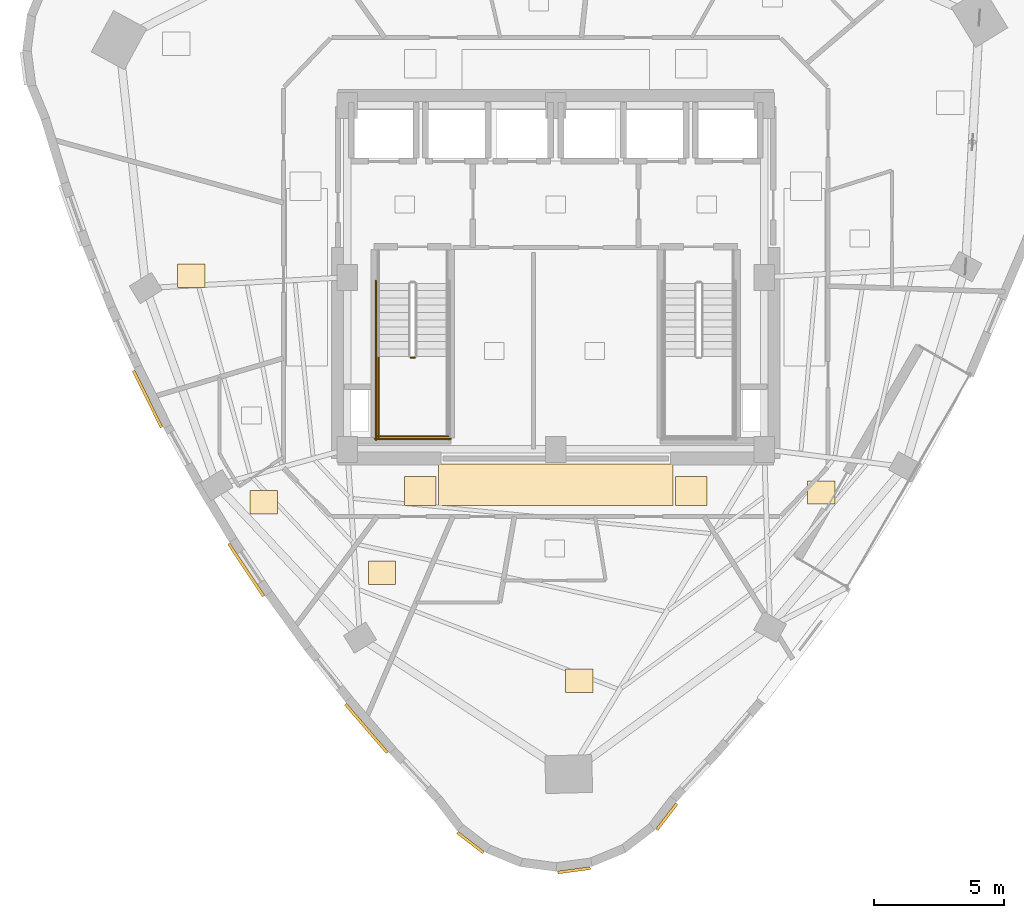
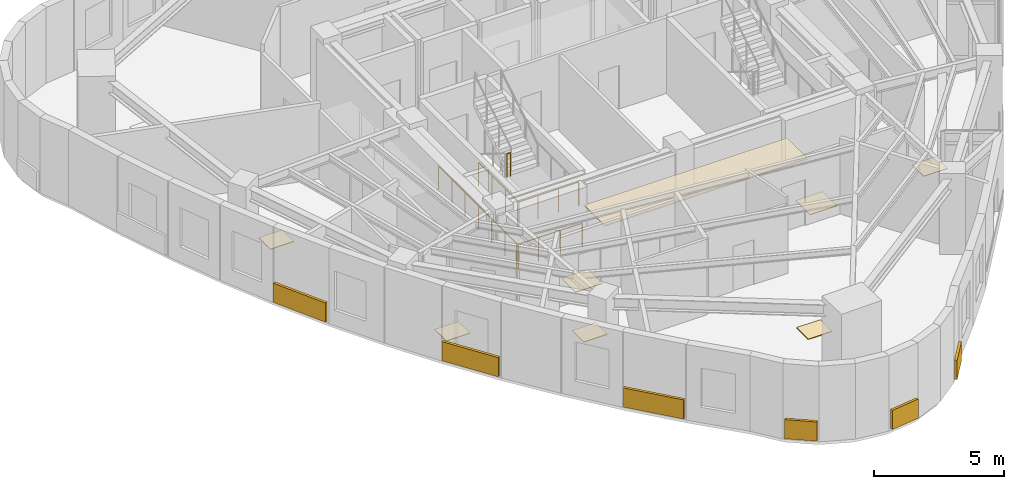
# One storey, part 10 of 12: 14 coverings, 5 railings.
"""IFC4 building model written with IfcOpenShell, lengths in metres."""

from ifc_helpers import new_model, si_unit, direction, frame, origin, origin_2d, place, context, subcontext, project, spatial, rectangle, circle, extrude, material, layer, layer_set, type_object, element, save


model = new_model("IFC4")

# Units and contexts
model_context = context("Model", 3, precision=1e-05, world=origin(), true_north=direction((0.0, 1.0)))
body_context = subcontext(model_context, "Body", "Model", "MODEL_VIEW")
ifc_project = project(units=[si_unit("LENGTHUNIT", "METRE"), si_unit("AREAUNIT", "SQUARE_METRE"), si_unit("VOLUMEUNIT", "CUBIC_METRE"), si_unit("PLANEANGLEUNIT", "RADIAN"), si_unit("MASSUNIT", "GRAM", prefix="KILO")], contexts=[model_context])

# Site, building, storey
site_placement = place(None, origin())
site = spatial("IfcSite", under=ifc_project, at=site_placement, CompositionType="ELEMENT")
building_placement = place(site_placement, origin())
building = spatial("IfcBuilding", under=site, at=building_placement, Name="Ndelora Gate Hotel", CompositionType="ELEMENT")
storey_placement = place(building_placement, frame((0.0, 0.0, 213.14990234375)))
storey = spatial("IfcBuildingStorey", under=building, at=storey_placement, Name="L53", CompositionType="ELEMENT", Elevation=213.14990234375)

# Coverings
ifc_material_1 = material(Name="Perforated Acoustic Gypsum Board", Category="gypsum")
ifc_layer_1 = layer(ifc_material_1, 0.054931640625)
ifc_layer_set_1 = layer_set([ifc_layer_1], Name="Perforated Acoustic Gypsum Board")
covering_type_1 = type_object("IfcCoveringType", Name="COV-CEIL-AC60", PredefinedType="CEILING", material=ifc_layer_set_1)
covering_1_placement = place(storey_placement, frame((0.0, -7.9599609375, 2.65283203125), z_axis=(0.0, 0.0, 1.0), x_axis=(1.0, 0.0, 0.0)))
element("IfcCovering", 1, at=covering_1_placement, inside=storey, type_object=covering_type_1, Name="L53 Guest Corridor Acoustic Ceiling S", PredefinedType="CEILING", context=body_context, shape_type="SweptSolid", body=[
    extrude(rectangle(XDim=9.0, YDim=1.580078125, at=origin_2d()), origin(), (0.0, 0.0, 1.0), 0.054931640625),
])
ifc_material_2 = material(Name="Terracotta Fired Clay Brick Slip Cladding", Category="masonry")
ifc_layer_2 = layer(ifc_material_2, 0.110107421875)
ifc_layer_set_2 = layer_set([ifc_layer_2], Name="Terracotta Fired Clay Brick Slip Cladding")
covering_type_2 = type_object("IfcCoveringType", Name="COV-CLAD-BRK", PredefinedType="CLADDING", material=ifc_layer_set_2)
for number, where, z_axis, x_axis, name in (
    (2, (-15.66357421875, -4.67041015625, 0.10009765625), (0.0, 0.0, 1.0), (-0.444635179185, 0.895711760239, 0.0), "L53 Rounded-Corner Brick Cladding Band 13"),
    (3, (-11.87646484375, -11.229736328125, 0.10009765625), (0.0, 0.0, 1.0), (-0.553391549243, 0.83292124071, 0.0), "L53 Rounded-Corner Brick Cladding Band 16"),
):
    element("IfcCovering", number, at=place(storey_placement, frame(where, z_axis=z_axis, x_axis=x_axis)), inside=storey, type_object=covering_type_2, Name=name, PredefinedType="CLADDING", context=body_context, shape_type="SweptSolid", body=[
        extrude(rectangle(XDim=2.4208984375, YDim=0.110107421875, at=origin_2d()), origin(), (0.0, 0.0, 1.0), 0.89990234375),
    ])
covering_2_placement = place(storey_placement, frame((-7.26416015625, -17.31201171875, 0.10009765625), z_axis=(0.0, 0.0, 1.0), x_axis=(-0.651966074496, 0.758248137292, 0.0)))
element("IfcCovering", 4, at=covering_2_placement, inside=storey, type_object=covering_type_2, Name="L53 Rounded-Corner Brick Cladding Band 19", PredefinedType="CLADDING", context=body_context, shape_type="SweptSolid", body=[
    extrude(rectangle(XDim=2.4599609375, YDim=0.110107421875, at=origin_2d()), origin(), (0.0, 0.0, 1.0), 0.89990234375),
])
for number, where, z_axis, x_axis, name in (
    (5, (-3.271484375, -21.691650390625, 0.10009765625), (0.0, 0.0, 1.0), (-0.793353340291, 0.608761429009, 0.0), "L53 Rounded-Corner Brick Cladding Band 22"),
    (6, (0.701416015625, -22.75634765625, 0.10009765625), (0.0, 0.0, 1.0), (0.991444861374, 0.13052619222, 0.0), "L53 Rounded-Corner Brick Cladding Band 25"),
):
    element("IfcCovering", number, at=place(storey_placement, frame(where, z_axis=z_axis, x_axis=x_axis)), inside=storey, type_object=covering_type_2, Name=name, PredefinedType="CLADDING", context=body_context, shape_type="SweptSolid", body=[
        extrude(rectangle(XDim=1.258056640625, YDim=0.110107421875, at=origin_2d()), origin(), (0.0, 0.0, 1.0), 0.89990234375),
    ])
covering_3_placement = place(storey_placement, frame((4.263671875, -20.69970703125, 0.10009765625), z_axis=(0.0, 0.0, 1.0), x_axis=(0.608761429009, 0.793353340291, 0.0)))
element("IfcCovering", 7, at=covering_3_placement, inside=storey, type_object=covering_type_2, Name="L53 Rounded-Corner Brick Cladding Band 28", PredefinedType="CLADDING", context=body_context, shape_type="SweptSolid", body=[
    extrude(rectangle(XDim=1.257080078125, YDim=0.110107421875, at=origin_2d()), origin(), (0.0, 0.0, 1.0), 0.89990234375),
])
ifc_material_3 = material(Name="Engineered Highland Oak Parquet", Category="wood")
ifc_layer_3 = layer(ifc_material_3, 0.030029296875)
ifc_layer_set_3 = layer_set([ifc_layer_3], Name="Engineered Highland Oak Parquet")
covering_type_3 = type_object("IfcCoveringType", Name="COV-FLR-PARQ", PredefinedType="FLOORING", material=ifc_layer_set_3)
for number, where, z_axis, x_axis, name in (
    (8, (0.896728515625, -15.488525390625, 0.0), (0.0, 0.0, 1.0), (1.0, 0.0, 0.0), "L53 Corner Conservatory Suite 5601 Oak Parquet Flooring"),
    (9, (10.19580078125, -8.2578125, 0.0), (0.0, 0.0, 1.0), (1.0, 0.0, 0.0), "L53 Sky Garden Tea Dining Room Oak Parquet Flooring"),
    (10, (-13.989501953125, 0.0625, 0.0), (0.0, 0.0, 1.0), (1.0, 0.0, 0.0), "L53 Sommelier Wine Kitchen Oak Parquet Flooring"),
    (11, (-11.20166015625, -8.63818359375, 0.0), (0.0, 0.0, 1.0), (1.0, 0.0, 0.0), "L53 Altitude King Guest Room 5605 Oak Parquet Flooring"),
    (12, (-6.667724609375, -11.34228515625, 0.0), (0.0, 0.0, 1.0), (1.0, 0.0, 0.0), "L53 Housekeeping and Linen Room Oak Parquet Flooring"),
):
    element("IfcCovering", number, at=place(storey_placement, frame(where, z_axis=z_axis, x_axis=x_axis)), inside=storey, type_object=covering_type_3, Name=name, PredefinedType="FLOORING", context=body_context, shape_type="SweptSolid", body=[
        extrude(rectangle(XDim=1.050048828125, YDim=0.89990234375, at=origin_2d()), origin(), (0.0, 0.0, 1.0), 0.030029296875),
    ])
ifc_material_4 = material(Name="Polished Highland Stone Terrazzo", Category="masonry")
ifc_layer_4 = layer(ifc_material_4, 0.034912109375)
ifc_layer_set_4 = layer_set([ifc_layer_4], Name="Polished Highland Stone Terrazzo")
covering_type_4 = type_object("IfcCoveringType", Name="COV-FLR-TERZ", PredefinedType="FLOORING", material=ifc_layer_set_4)
for number, where, z_axis, x_axis, name in (
    (13, (-5.199951171875, -8.199951171875, 0.0), (0.0, 0.0, 1.0), (1.0, 0.0, 0.0), "L53 Corridor Threshold Terrazzo Inlay SW"),
    (14, (5.199951171875, -8.199951171875, 0.0), (0.0, 0.0, 1.0), (1.0, 0.0, 0.0), "L53 Corridor Threshold Terrazzo Inlay SE"),
):
    element("IfcCovering", number, at=place(storey_placement, frame(where, z_axis=z_axis, x_axis=x_axis)), inside=storey, type_object=covering_type_4, Name=name, PredefinedType="FLOORING", context=body_context, shape_type="SweptSolid", body=[
        extrude(rectangle(XDim=1.199951171875, YDim=1.10009765625, at=origin_2d()), origin(), (0.0, 0.0, 1.0), 0.034912109375),
    ])

# Railings
ifc_material_5 = material(Name="Painted Galvanized Steel Balustrade", Category="steel")
ifc_layer_5 = layer(ifc_material_5, 0.06005859375)
ifc_layer_set_5 = layer_set([ifc_layer_5], Name="Painted Galvanized Steel Balustrade")
railing_type = type_object("IfcRailingType", Name="RL-STAIR-GD", PredefinedType="GUARDRAIL", material=ifc_layer_set_5)
railing_1_placement = place(storey_placement, frame((-5.570068359375, -3.080078125, 1.900146484375)))
element("IfcRailing", 15, at=railing_1_placement, inside=storey, type_object=railing_type, Name="L53 ST4 stair guard 2", PredefinedType="GUARDRAIL", context=body_context, shape_type="SweptSolid", body=[
    extrude(circle(Radius=0.02392578125, at=origin_2d()), frame((0.0, 0.0, 1.10595703125), z_axis=(1.0, 0.0, 0.0), x_axis=(0.0, 1.0, 0.0)), (0.0, 0.0, 1.0), 0.16015625),
    extrude(circle(Radius=0.02099609375, at=origin_2d()), origin(), (0.0, 0.0, 1.0), 1.081787109375),
    extrude(circle(Radius=0.02099609375, at=origin_2d()), frame((0.16015625, 0.0, 0.0)), (0.0, 0.0, 1.0), 1.081787109375),
])
railing_2_placement = place(storey_placement, frame((-6.800048828125, -3.030029296875, 1.900146484375)))
element("IfcRailing", 16, at=railing_2_placement, inside=storey, type_object=railing_type, Name="L53 ST4 stair guard 3", PredefinedType="GUARDRAIL", context=body_context, shape_type="SweptSolid", body=[
    extrude(circle(Radius=0.02392578125, at=origin_2d()), frame((0.0, 0.0, 1.10595703125), z_axis=(0.0, -1.0, 0.0), x_axis=(1.0, 0.0, 0.0)), (0.0, 0.0, 1.0), 3.119873046875),
    extrude(circle(Radius=0.02099609375, at=origin_2d()), origin(), (0.0, 0.0, 1.0), 1.081787109375),
    extrude(circle(Radius=0.02099609375, at=origin_2d()), frame((0.0, -1.0400390625, 0.0)), (0.0, 0.0, 1.0), 1.081787109375),
    extrude(circle(Radius=0.02099609375, at=origin_2d()), frame((0.0, -2.079833984375, 0.0)), (0.0, 0.0, 1.0), 1.081787109375),
    extrude(circle(Radius=0.02099609375, at=origin_2d()), frame((0.0, -3.119873046875, 0.0)), (0.0, 0.0, 1.0), 1.081787109375),
])
railing_3_placement = place(storey_placement, frame((-6.85009765625, -6.10009765625, 1.900146484375)))
element("IfcRailing", 17, at=railing_3_placement, inside=storey, type_object=railing_type, Name="L53 ST4 stair guard 5", PredefinedType="GUARDRAIL", context=body_context, shape_type="SweptSolid", body=[
    extrude(circle(Radius=0.02392578125, at=origin_2d()), frame((0.0, 0.0, 1.10595703125), z_axis=(1.0, 0.0, 0.0), x_axis=(0.0, 1.0, 0.0)), (0.0, 0.0, 1.0), 2.72021484375),
    extrude(circle(Radius=0.02099609375, at=origin_2d()), origin(), (0.0, 0.0, 1.0), 1.081787109375),
    extrude(circle(Radius=0.02099609375, at=origin_2d()), frame((0.90673828125, 0.0, 0.0)), (0.0, 0.0, 1.0), 1.081787109375),
    extrude(circle(Radius=0.02099609375, at=origin_2d()), frame((1.8134765625, 0.0, 0.0)), (0.0, 0.0, 1.0), 1.081787109375),
    extrude(circle(Radius=0.02099609375, at=origin_2d()), frame((2.72021484375, 0.0, 0.0)), (0.0, 0.0, 1.0), 1.081787109375),
])
railing_4_placement = place(storey_placement, frame((-6.89990234375, -0.1298828125, 0.0)))
element("IfcRailing", 18, at=railing_4_placement, inside=storey, type_object=railing_type, Name="L53 ST4 stair guard 10", PredefinedType="GUARDRAIL", context=body_context, shape_type="SweptSolid", body=[
    extrude(circle(Radius=0.02392578125, at=origin_2d()), frame((0.0, 0.0, 1.10595703125), z_axis=(0.0, -1.0, 0.0), x_axis=(1.0, 0.0, 0.0)), (0.0, 0.0, 1.0), 6.1201171875),
    extrude(circle(Radius=0.02099609375, at=origin_2d()), origin(), (0.0, 0.0, 1.0), 1.081787109375),
    extrude(circle(Radius=0.02099609375, at=origin_2d()), frame((0.0, -1.02001953125, 0.0)), (0.0, 0.0, 1.0), 1.081787109375),
    extrude(circle(Radius=0.02099609375, at=origin_2d()), frame((0.0, -2.0400390625, 0.0)), (0.0, 0.0, 1.0), 1.081787109375),
    extrude(circle(Radius=0.02099609375, at=origin_2d()), frame((0.0, -3.06005859375, 0.0)), (0.0, 0.0, 1.0), 1.081787109375),
    extrude(circle(Radius=0.02099609375, at=origin_2d()), frame((0.0, -4.080078125, 0.0)), (0.0, 0.0, 1.0), 1.081787109375),
    extrude(circle(Radius=0.02099609375, at=origin_2d()), frame((0.0, -5.10009765625, 0.0)), (0.0, 0.0, 1.0), 1.081787109375),
    extrude(circle(Radius=0.02099609375, at=origin_2d()), frame((0.0, -6.1201171875, 0.0)), (0.0, 0.0, 1.0), 1.081787109375),
])
railing_5_placement = place(storey_placement, frame((-6.949951171875, -6.199951171875, 0.0)))
element("IfcRailing", 19, at=railing_5_placement, inside=storey, type_object=railing_type, Name="L53 ST4 stair guard 12", PredefinedType="GUARDRAIL", context=body_context, shape_type="SweptSolid", body=[
    extrude(circle(Radius=0.02392578125, at=origin_2d()), frame((0.0, 0.0, 1.10595703125), z_axis=(1.0, 0.0, 0.0), x_axis=(0.0, 1.0, 0.0)), (0.0, 0.0, 1.0), 2.919921875),
    extrude(circle(Radius=0.02099609375, at=origin_2d()), origin(), (0.0, 0.0, 1.0), 1.081787109375),
    extrude(circle(Radius=0.02099609375, at=origin_2d()), frame((0.973388671875, 0.0, 0.0)), (0.0, 0.0, 1.0), 1.081787109375),
    extrude(circle(Radius=0.02099609375, at=origin_2d()), frame((1.946533203125, 0.0, 0.0)), (0.0, 0.0, 1.0), 1.081787109375),
    extrude(circle(Radius=0.02099609375, at=origin_2d()), frame((2.919921875, 0.0, 0.0)), (0.0, 0.0, 1.0), 1.081787109375),
])

save(model, "model.ifc")
